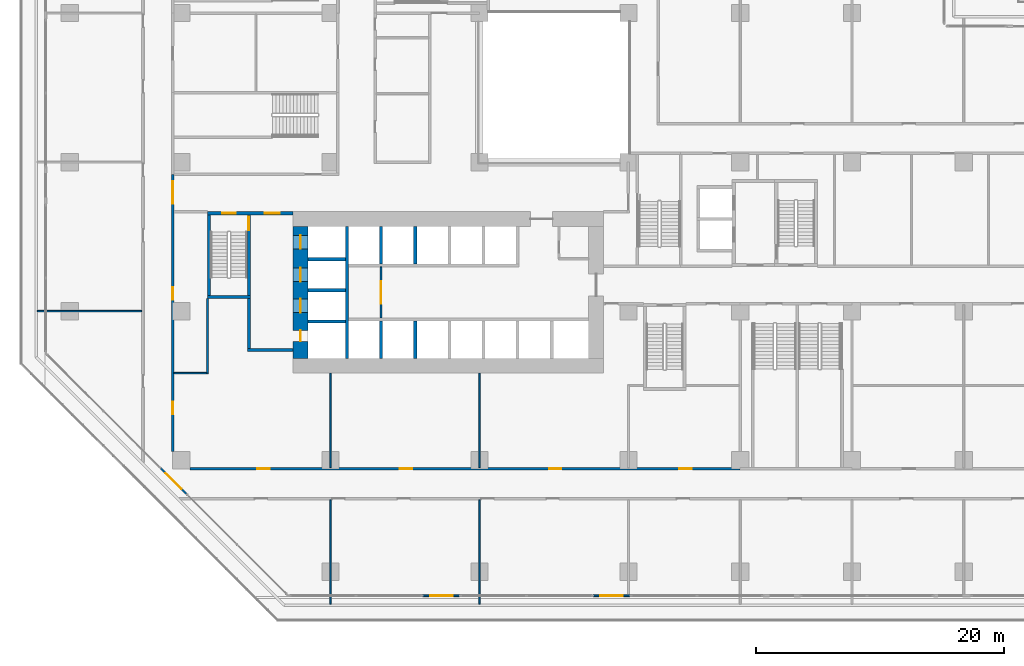
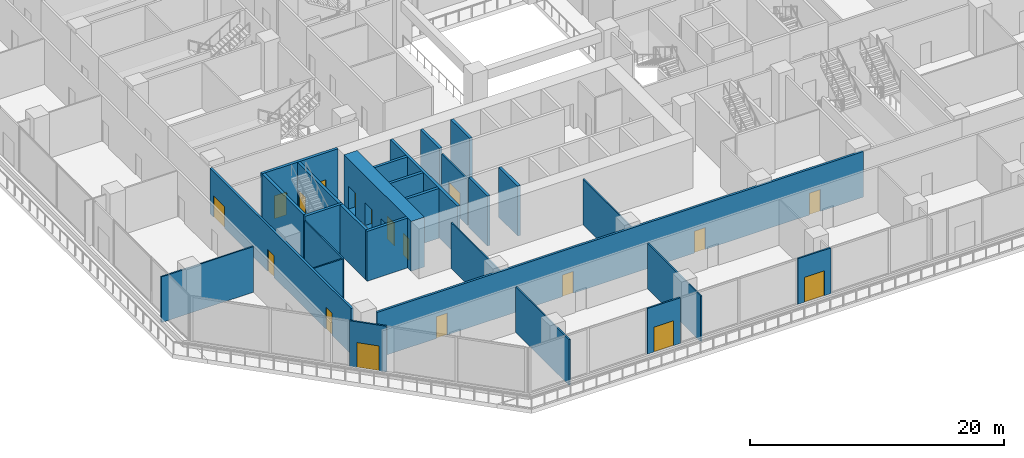
# One storey, part 14 of 31: 28 walls, 18 doors, 18 openings.
"""IFC4 building model written with IfcOpenShell, lengths in metres."""

from ifc_helpers import new_model, si_unit, direction, frame, frame_2d, origin, place, context, subcontext, project, spatial, rectangle, extrude, material, layer, layer_set, type_object, element, fill, save


model = new_model("IFC4")

# Units and contexts
model_context = context("Model", 3, precision=1e-05, world=origin(), true_north=direction((0.0, 1.0)))
body_context = subcontext(model_context, "Body", "Model", "MODEL_VIEW")
ifc_project = project(units=[si_unit("LENGTHUNIT", "METRE"), si_unit("AREAUNIT", "SQUARE_METRE"), si_unit("VOLUMEUNIT", "CUBIC_METRE"), si_unit("PLANEANGLEUNIT", "RADIAN"), si_unit("MASSUNIT", "GRAM", prefix="KILO")], contexts=[model_context])

# Site, building, storey
site_placement = place(None, origin())
site = spatial("IfcSite", under=ifc_project, at=site_placement, CompositionType="ELEMENT")
building_placement = place(site_placement, origin())
building = spatial("IfcBuilding", under=site, at=building_placement, Name="Chenar Terraces", CompositionType="ELEMENT")
storey_placement = place(building_placement, frame((0.0, 0.0, 12.0)))
storey = spatial("IfcBuildingStorey", under=building, at=storey_placement, Name="L02", CompositionType="ELEMENT", Elevation=12.0)

# Walls
ifc_material_1 = material(Name="Gypsum board on steel studs with mineral wool", Category="steel")
ifc_layer_1 = layer(ifc_material_1, 0.125)
ifc_layer_set_1 = layer_set([ifc_layer_1], Name="Gypsum board on steel studs with mineral wool")
wall_type_1 = type_object("IfcWallType", Name="Acoustic partition 125", PredefinedType="PARTITIONING", material=ifc_layer_set_1)
wall_1_placement = place(storey_placement, frame((-11.60009765625, 12.0, 0.0), z_axis=(0.0, 0.0, 1.0), x_axis=(1.0, 0.0, 0.0)))
element("IfcWall", 1, at=wall_1_placement, inside=storey, type_object=wall_type_1, Name="Partition L02-001", PredefinedType="PARTITIONING", context=body_context, shape_type="SweptSolid", body=[
    extrude(rectangle(XDim=8.400146484375, YDim=0.125, at=frame_2d((4.2001953125, 0.0))), origin(), (0.0, 0.0, 1.0), 4.39990234375),
])
wall_2_placement = place(storey_placement, frame((-0.60009765625, 7.0, 0.0), z_axis=(0.0, 0.0, 1.0), x_axis=(1.0, 0.0, 0.0)))
element("IfcWall", 2, at=wall_2_placement, inside=storey, type_object=wall_type_1, Name="Partition L02-020", PredefinedType="PARTITIONING", context=body_context, shape_type="SweptSolid", body=[
    extrude(rectangle(XDim=2.63818359375, YDim=0.125, at=frame_2d((1.319091796875, 0.0))), origin(), (0.0, 0.0, 1.0), 4.39990234375),
])
wall_3_placement = place(storey_placement, frame((2.10009765625, 6.93798828125, 0.0), z_axis=(0.0, 0.0, 1.0), x_axis=(0.0, 1.0, 0.0)))
element("IfcWall", 3, at=wall_3_placement, inside=storey, type_object=wall_type_1, Name="Partition L02-034", PredefinedType="PARTITIONING", context=body_context, shape_type="SweptSolid", body=[
    extrude(rectangle(XDim=6.06201171875, YDim=0.125, at=frame_2d((3.031005859375, 0.0))), origin(), (0.0, 0.0, 1.0), 4.39990234375),
])
wall_4_placement = place(storey_placement, frame((12.0, -11.60009765625, 0.0), z_axis=(0.0, 0.0, 1.0), x_axis=(0.0, 1.0, 0.0)))
element("IfcWall", 4, at=wall_4_placement, inside=storey, type_object=wall_type_1, Name="Partition L02-040", PredefinedType="PARTITIONING", context=body_context, shape_type="SweptSolid", body=[
    extrude(rectangle(XDim=8.400146484375, YDim=0.125, at=frame_2d((4.2001953125, 0.0))), origin(), (0.0, 0.0, 1.0), 4.39990234375),
])
wall_5_placement = place(storey_placement, frame((12.0, -0.60009765625, 0.0), z_axis=(0.0, 0.0, 1.0), x_axis=(0.0, 1.0, 0.0)))
element("IfcWall", 5, at=wall_5_placement, inside=storey, type_object=wall_type_1, Name="Partition L02-041", PredefinedType="PARTITIONING", context=body_context, shape_type="SweptSolid", body=[
    extrude(rectangle(XDim=7.60009765625, YDim=0.125, at=frame_2d((3.800048828125, 0.0))), origin(), (0.0, 0.0, 1.0), 4.39990234375),
])
wall_6_placement = place(storey_placement, frame((24.0, -11.60009765625, 0.0), z_axis=(0.0, 0.0, 1.0), x_axis=(0.0, 1.0, 0.0)))
element("IfcWall", 6, at=wall_6_placement, inside=storey, type_object=wall_type_1, Name="Partition L02-067", PredefinedType="PARTITIONING", context=body_context, shape_type="SweptSolid", body=[
    extrude(rectangle(XDim=8.400146484375, YDim=0.125, at=frame_2d((4.2001953125, 0.0))), origin(), (0.0, 0.0, 1.0), 4.39990234375),
])
wall_7_placement = place(storey_placement, frame((24.0, -0.60009765625, 0.0), z_axis=(0.0, 0.0, 1.0), x_axis=(0.0, 1.0, 0.0)))
element("IfcWall", 7, at=wall_7_placement, inside=storey, type_object=wall_type_1, Name="Partition L02-068", PredefinedType="PARTITIONING", context=body_context, shape_type="SweptSolid", body=[
    extrude(rectangle(XDim=7.60009765625, YDim=0.125, at=frame_2d((3.800048828125, 0.0))), origin(), (0.0, 0.0, 1.0), 4.39990234375),
])

# Wall, opening, door
ifc_material_2 = material(Name="Gypsum board on steel studs", Category="steel")
ifc_layer_2 = layer(ifc_material_2, 0.14990234375)
ifc_layer_set_2 = layer_set([ifc_layer_2], Name="Gypsum board on steel studs")
wall_type_2 = type_object("IfcWallType", Name="Core partition 150 gypsum board", PredefinedType="PARTITIONING", material=ifc_layer_set_2)
wall_8_placement = place(storey_placement, frame((16.074951171875, 11.449951171875, 0.0), z_axis=(0.0, 0.0, 1.0), x_axis=(0.0, 1.0, 0.0)))
wall_8 = element("IfcWall", 8, at=wall_8_placement, inside=storey, type_object=wall_type_2, Name="Core partition CP1 lift lobby smoke stop", PredefinedType="PARTITIONING", context=body_context, shape_type="SweptSolid", body=[
    extrude(rectangle(XDim=4.10009765625, YDim=0.14990234375, at=frame_2d((2.050048828125, 0.0))), origin(), (0.0, 0.0, 1.0), 4.39990234375),
])
opening_1_placement = place(wall_8_placement, frame((1.14990234375, 0.0, 0.0)))
opening_1 = element("IfcOpeningElement", 9, at=opening_1_placement, cuts=wall_8, Name="Opening DL02-C12", PredefinedType="OPENING", context=body_context, shape_type="SweptSolid", body=[
    extrude(rectangle(XDim=1.800048828125, YDim=2.39990234375, at=frame_2d((0.89990234375, 1.199951171875))), frame((0.0, 0.0849609375, 0.0), z_axis=(0.0, -1.0, 0.0), x_axis=(1.0, 0.0, 0.0)), (0.0, 0.0, 1.0), 0.169921875),
])
ifc_material_3 = material(Name="Steel-framed fire-resisting door leaf", Category="steel")
door_type_1 = type_object("IfcDoorType", Name="Core entrance double fire door FD60 1800 x 2400", OperationType="DOUBLE_DOOR_SINGLE_SWING", PredefinedType="DOOR", material=ifc_material_3)
door_1_placement = place(opening_1_placement, origin())
door_1 = element("IfcDoor", 10, at=door_1_placement, inside=storey, type_object=door_type_1, Name="Core door DL02-C12", OperationType="DOUBLE_DOOR_SINGLE_SWING", OverallHeight=2.39990234375, OverallWidth=1.800048828125, PredefinedType="DOOR", context=body_context, shape_type="SweptSolid", body=[
    extrude(rectangle(XDim=1.800048828125, YDim=2.39990234375, at=frame_2d((0.89990234375, 1.199951171875))), frame((0.0, 0.02490234375, 0.0), z_axis=(0.0, -1.0, 0.0), x_axis=(1.0, 0.0, 0.0)), (0.0, 0.0, 1.0), 0.050048828125),
])
fill(opening_1, door_1)

# Wall, openings, doors
ifc_material_4 = material(Name="Concrete C70/85", Category="concrete")
ifc_layer_3 = layer(ifc_material_4, 1.199951171875)
ifc_layer_set_3 = layer_set([ifc_layer_3], Name="Concrete C70/85")
wall_type_3 = type_object("IfcWallType", Name="Core wall 1200 Concrete C70/85", PredefinedType="SHEAR", material=ifc_layer_set_3)
wall_9_placement = place(storey_placement, frame((9.60009765625, 8.199951171875, 0.0), z_axis=(0.0, 0.0, 1.0), x_axis=(0.0, 1.0, 0.0)))
wall_9 = element("IfcWall", 11, at=wall_9_placement, inside=storey, type_object=wall_type_3, Name="Core wall W L02", PredefinedType="SHEAR", context=body_context, shape_type="SweptSolid", body=[
    extrude(rectangle(XDim=10.60009765625, YDim=1.199951171875, at=frame_2d((5.300048828125, 0.0))), origin(), (0.0, 0.0, 1.0), 4.800048828125),
])
opening_2_placement = place(wall_9_placement, frame((3.675048828125, 0.0, 0.0)))
opening_2 = element("IfcOpeningElement", 12, at=opening_2_placement, cuts=wall_9, Name="Opening DL02-LD1", PredefinedType="OPENING", context=body_context, shape_type="SweptSolid", body=[
    extrude(rectangle(XDim=1.10009765625, YDim=2.199951171875, at=frame_2d((0.550048828125, 1.10009765625))), frame((0.0, 0.60986328125, 0.0), z_axis=(0.0, -1.0, 0.0), x_axis=(1.0, 0.0, 0.0)), (0.0, 0.0, 1.0), 1.219970703125),
])
opening_3_placement = place(wall_9_placement, frame((6.175048828125, 0.0, 0.0)))
opening_3 = element("IfcOpeningElement", 13, at=opening_3_placement, cuts=wall_9, Name="Opening DL02-LD2", PredefinedType="OPENING", context=body_context, shape_type="SweptSolid", body=[
    extrude(rectangle(XDim=1.10009765625, YDim=2.199951171875, at=frame_2d((0.550048828125, 1.10009765625))), frame((0.0, 0.60986328125, 0.0), z_axis=(0.0, -1.0, 0.0), x_axis=(1.0, 0.0, 0.0)), (0.0, 0.0, 1.0), 1.219970703125),
])
opening_4_placement = place(wall_9_placement, frame((8.800048828125, 0.0, 0.0)))
opening_4 = element("IfcOpeningElement", 14, at=opening_4_placement, cuts=wall_9, Name="Opening DL02-LD3", PredefinedType="OPENING", context=body_context, shape_type="SweptSolid", body=[
    extrude(rectangle(XDim=1.10009765625, YDim=2.199951171875, at=frame_2d((0.550048828125, 1.10009765625))), frame((0.0, 0.60986328125, 0.0), z_axis=(0.0, -1.0, 0.0), x_axis=(1.0, 0.0, 0.0)), (0.0, 0.0, 1.0), 1.219970703125),
])
opening_5_placement = place(wall_9_placement, frame((1.35009765625, 0.0, 0.0)))
opening_5 = element("IfcOpeningElement", 15, at=opening_5_placement, cuts=wall_9, Name="Opening DL02-C4", PredefinedType="OPENING", context=body_context, shape_type="SweptSolid", body=[
    extrude(rectangle(XDim=0.89990234375, YDim=2.10009765625, at=frame_2d((0.449951171875, 1.050048828125))), frame((0.0, 0.60986328125, 0.0), z_axis=(0.0, -1.0, 0.0), x_axis=(1.0, 0.0, 0.0)), (0.0, 0.0, 1.0), 1.219970703125),
])
ifc_material_5 = material(Name="Stainless steel", Category="steel")
door_type_2 = type_object("IfcDoorType", Name="Lift landing door 1100 x 2200 sliding", OperationType="DOUBLE_DOOR_SLIDING", PredefinedType="DOOR", material=ifc_material_5)
door_2_placement = place(opening_2_placement, origin())
door_2 = element("IfcDoor", 16, at=door_2_placement, inside=storey, type_object=door_type_2, Name="Landing door S1", OperationType="DOUBLE_DOOR_SLIDING", OverallHeight=2.199951171875, OverallWidth=1.10009765625, PredefinedType="DOOR", context=body_context, shape_type="SweptSolid", body=[
    extrude(rectangle(XDim=1.10009765625, YDim=2.199951171875, at=frame_2d((0.550048828125, 1.10009765625))), frame((0.0, 0.02490234375, 0.0), z_axis=(0.0, -1.0, 0.0), x_axis=(1.0, 0.0, 0.0)), (0.0, 0.0, 1.0), 0.050048828125),
])
fill(opening_2, door_2)
door_3_placement = place(opening_3_placement, origin())
door_3 = element("IfcDoor", 17, at=door_3_placement, inside=storey, type_object=door_type_2, Name="Landing door F1", OperationType="DOUBLE_DOOR_SLIDING", OverallHeight=2.199951171875, OverallWidth=1.10009765625, PredefinedType="DOOR", context=body_context, shape_type="SweptSolid", body=[
    extrude(rectangle(XDim=1.10009765625, YDim=2.199951171875, at=frame_2d((0.550048828125, 1.10009765625))), frame((0.0, 0.02490234375, 0.0), z_axis=(0.0, -1.0, 0.0), x_axis=(1.0, 0.0, 0.0)), (0.0, 0.0, 1.0), 0.050048828125),
])
fill(opening_3, door_3)
door_4_placement = place(opening_4_placement, origin())
door_4 = element("IfcDoor", 18, at=door_4_placement, inside=storey, type_object=door_type_2, Name="Landing door F2", OperationType="DOUBLE_DOOR_SLIDING", OverallHeight=2.199951171875, OverallWidth=1.10009765625, PredefinedType="DOOR", context=body_context, shape_type="SweptSolid", body=[
    extrude(rectangle(XDim=1.10009765625, YDim=2.199951171875, at=frame_2d((0.550048828125, 1.10009765625))), frame((0.0, 0.02490234375, 0.0), z_axis=(0.0, -1.0, 0.0), x_axis=(1.0, 0.0, 0.0)), (0.0, 0.0, 1.0), 0.050048828125),
])
fill(opening_4, door_4)
ifc_material_6 = material(Name="Steel-framed fire-resisting door leaf", Category="steel")
door_type_3 = type_object("IfcDoorType", Name="Riser fire door FD60 900 x 2100", OperationType="SINGLE_SWING_LEFT", PredefinedType="DOOR", material=ifc_material_6)
door_5_placement = place(opening_5_placement, frame((0.89990234375, 0.0, 0.0), z_axis=(0.0, 0.0, 1.0), x_axis=(-1.0, 0.0, 0.0)))
door_5 = element("IfcDoor", 19, at=door_5_placement, inside=storey, type_object=door_type_3, Name="Riser door DL02-C4", OperationType="SINGLE_SWING_RIGHT", OverallHeight=2.10009765625, OverallWidth=0.89990234375, PredefinedType="DOOR", context=body_context, shape_type="SweptSolid", body=[
    extrude(rectangle(XDim=0.89990234375, YDim=2.10009765625, at=frame_2d((0.449951171875, 1.050048828125))), frame((0.0, 0.02490234375, 0.0), z_axis=(0.0, -1.0, 0.0), x_axis=(1.0, 0.0, 0.0)), (0.0, 0.0, 1.0), 0.050048828125),
])
fill(opening_5, door_5)

# Walls
ifc_material_7 = material(Name="Concrete C70/85", Category="concrete")
ifc_layer_4 = layer(ifc_material_7, 0.25)
ifc_layer_set_4 = layer_set([ifc_layer_4], Name="Concrete C70/85")
wall_type_4 = type_object("IfcWallType", Name="Core wall 250 Concrete C70/85", PredefinedType="SHEAR", material=ifc_layer_set_4)
wall_10_placement = place(storey_placement, frame((13.324951171875, 8.199951171875, 0.0), z_axis=(0.0, 0.0, 1.0), x_axis=(0.0, 1.0, 0.0)))
element("IfcWall", 20, at=wall_10_placement, inside=storey, type_object=wall_type_4, Name="Core wall WI L02", PredefinedType="SHEAR", context=body_context, shape_type="SweptSolid", body=[
    extrude(rectangle(XDim=10.60009765625, YDim=0.25, at=frame_2d((5.300048828125, 0.0))), origin(), (0.0, 0.0, 1.0), 4.800048828125),
])
for number, where, z_axis, x_axis, name in (
    (21, (10.199951171875, 11.175048828125, 0.0), (0.0, 0.0, 1.0), (1.0, 0.0, 0.0), "Core wall HW0 L02"),
    (22, (10.199951171875, 13.675048828125, 0.0), (0.0, 0.0, 1.0), (1.0, 0.0, 0.0), "Core wall HW1 L02"),
    (23, (10.199951171875, 16.175048828125, 0.0), (0.0, 0.0, 1.0), (1.0, 0.0, 0.0), "Core wall HW2 L02"),
    (24, (16.074951171875, 8.199951171875, 0.0), (0.0, 0.0, 1.0), (0.0, 1.0, 0.0), "Core wall SS0 L02"),
    (25, (18.824951171875, 8.199951171875, 0.0), (0.0, 0.0, 1.0), (0.0, 1.0, 0.0), "Core wall SS1 L02"),
    (26, (16.074951171875, 15.800048828125, 0.0), (0.0, 0.0, 1.0), (0.0, 1.0, 0.0), "Core wall NS0 L02"),
    (27, (18.824951171875, 15.800048828125, 0.0), (0.0, 0.0, 1.0), (0.0, 1.0, 0.0), "Core wall NS1 L02"),
):
    element("IfcWall", number, at=place(storey_placement, frame(where, z_axis=z_axis, x_axis=x_axis)), inside=storey, type_object=wall_type_4, Name=name, PredefinedType="SHEAR", context=body_context, shape_type="SweptSolid", body=[
        extrude(rectangle(XDim=3.0, YDim=0.25, at=frame_2d((1.5, 0.0))), origin(), (0.0, 0.0, 1.0), 4.800048828125),
    ])

# Wall, openings, doors
wall_11_placement = place(storey_placement, frame((2.10009765625, 19.875, 0.0), z_axis=(0.0, 0.0, 1.0), x_axis=(1.0, 0.0, 0.0)))
wall_11 = element("IfcWall", 28, at=wall_11_placement, inside=storey, type_object=wall_type_4, Name="Core wall A_N L02", PredefinedType="SHEAR", context=body_context, shape_type="SweptSolid", body=[
    extrude(rectangle(XDim=6.89990234375, YDim=0.25, at=frame_2d((3.449951171875, 0.0))), origin(), (0.0, 0.0, 1.0), 4.800048828125),
])
opening_6_placement = place(wall_11_placement, frame((1.175048828125, 0.0, 0.0)))
opening_6 = element("IfcOpeningElement", 29, at=opening_6_placement, cuts=wall_11, Name="Opening DL02-C5", PredefinedType="OPENING", context=body_context, shape_type="SweptSolid", body=[
    extrude(rectangle(XDim=1.10009765625, YDim=2.199951171875, at=frame_2d((0.550048828125, 1.10009765625))), frame((0.0, 0.135009765625, 0.0), z_axis=(0.0, -1.0, 0.0), x_axis=(1.0, 0.0, 0.0)), (0.0, 0.0, 1.0), 0.27001953125),
])
opening_7_placement = place(wall_11_placement, frame((4.60009765625, 0.0, 0.0)))
opening_7 = element("IfcOpeningElement", 30, at=opening_7_placement, cuts=wall_11, Name="Opening DL02-C6", PredefinedType="OPENING", context=body_context, shape_type="SweptSolid", body=[
    extrude(rectangle(XDim=1.199951171875, YDim=2.199951171875, at=frame_2d((0.60009765625, 1.10009765625))), frame((0.0, 0.135009765625, 0.0), z_axis=(0.0, -1.0, 0.0), x_axis=(1.0, 0.0, 0.0)), (0.0, 0.0, 1.0), 0.27001953125),
])
ifc_material_8 = material(Name="Steel-framed fire-resisting door leaf", Category="steel")
door_type_4 = type_object("IfcDoorType", Name="Lobby fire door FD60 1200 x 2200", OperationType="SINGLE_SWING_LEFT", PredefinedType="DOOR", material=ifc_material_8)
door_6_placement = place(opening_7_placement, frame((1.199951171875, 0.0, 0.0), z_axis=(0.0, 0.0, 1.0), x_axis=(-1.0, 0.0, 0.0)))
door_6 = element("IfcDoor", 31, at=door_6_placement, inside=storey, type_object=door_type_4, Name="Core door DL02-C6", OperationType="SINGLE_SWING_LEFT", OverallHeight=2.199951171875, OverallWidth=1.199951171875, PredefinedType="DOOR", context=body_context, shape_type="SweptSolid", body=[
    extrude(rectangle(XDim=1.199951171875, YDim=2.199951171875, at=frame_2d((0.60009765625, 1.10009765625))), frame((0.0, 0.02490234375, 0.0), z_axis=(0.0, -1.0, 0.0), x_axis=(1.0, 0.0, 0.0)), (0.0, 0.0, 1.0), 0.050048828125),
])
fill(opening_7, door_6)
ifc_material_9 = material(Name="Steel-framed fire-resisting door leaf", Category="steel")
door_type_5 = type_object("IfcDoorType", Name="Stair fire door FD60 1100 x 2200", OperationType="SINGLE_SWING_LEFT", PredefinedType="DOOR", material=ifc_material_9)
door_7_placement = place(opening_6_placement, origin())
door_7 = element("IfcDoor", 32, at=door_7_placement, inside=storey, type_object=door_type_5, Name="Stair door DL02-C5", OperationType="SINGLE_SWING_LEFT", OverallHeight=2.199951171875, OverallWidth=1.10009765625, PredefinedType="DOOR", context=body_context, shape_type="SweptSolid", body=[
    extrude(rectangle(XDim=1.10009765625, YDim=2.199951171875, at=frame_2d((0.550048828125, 1.10009765625))), frame((0.0, 0.02490234375, 0.0), z_axis=(0.0, -1.0, 0.0), x_axis=(1.0, 0.0, 0.0)), (0.0, 0.0, 1.0), 0.050048828125),
])
fill(opening_6, door_7)

# Walls
wall_12_placement = place(storey_placement, frame((2.10009765625, 13.125, 0.0), z_axis=(0.0, 0.0, 1.0), x_axis=(1.0, 0.0, 0.0)))
element("IfcWall", 33, at=wall_12_placement, inside=storey, type_object=wall_type_4, Name="Core wall ST1_S L02", PredefinedType="SHEAR", context=body_context, shape_type="SweptSolid", body=[
    extrude(rectangle(XDim=3.449951171875, YDim=0.25, at=frame_2d((1.72509765625, 0.0))), origin(), (0.0, 0.0, 1.0), 4.800048828125),
])
wall_13_placement = place(storey_placement, frame((2.22509765625, 13.25, 0.0), z_axis=(0.0, 0.0, 1.0), x_axis=(0.0, 1.0, 0.0)))
element("IfcWall", 34, at=wall_13_placement, inside=storey, type_object=wall_type_4, Name="Core wall ST1_W L02", PredefinedType="SHEAR", context=body_context, shape_type="SweptSolid", body=[
    extrude(rectangle(XDim=6.5, YDim=0.25, at=frame_2d((3.25, 0.0))), origin(), (0.0, 0.0, 1.0), 4.800048828125),
])

# Wall, opening, door
wall_14_placement = place(storey_placement, frame((5.425048828125, 13.25, 0.0), z_axis=(0.0, 0.0, 1.0), x_axis=(0.0, 1.0, 0.0)))
wall_14 = element("IfcWall", 35, at=wall_14_placement, inside=storey, type_object=wall_type_4, Name="Core wall ST1_E L02", PredefinedType="SHEAR", context=body_context, shape_type="SweptSolid", body=[
    extrude(rectangle(XDim=6.5, YDim=0.25, at=frame_2d((3.25, 0.0))), origin(), (0.0, 0.0, 1.0), 4.800048828125),
])
opening_8_placement = place(wall_14_placement, frame((5.25, 0.0, 0.0)))
opening_8 = element("IfcOpeningElement", 36, at=opening_8_placement, cuts=wall_14, Name="Opening DL02-C3", PredefinedType="OPENING", context=body_context, shape_type="SweptSolid", body=[
    extrude(rectangle(XDim=1.10009765625, YDim=2.199951171875, at=frame_2d((0.550048828125, 1.10009765625))), frame((0.0, 0.135009765625, 0.0), z_axis=(0.0, -1.0, 0.0), x_axis=(1.0, 0.0, 0.0)), (0.0, 0.0, 1.0), 0.27001953125),
])
door_8_placement = place(opening_8_placement, origin())
door_8 = element("IfcDoor", 37, at=door_8_placement, inside=storey, type_object=door_type_5, Name="Stair door DL02-C3", OperationType="SINGLE_SWING_RIGHT", OverallHeight=2.199951171875, OverallWidth=1.10009765625, PredefinedType="DOOR", context=body_context, shape_type="SweptSolid", body=[
    extrude(rectangle(XDim=1.10009765625, YDim=2.199951171875, at=frame_2d((0.550048828125, 1.10009765625))), frame((0.0, 0.02490234375, 0.0), z_axis=(0.0, -1.0, 0.0), x_axis=(1.0, 0.0, 0.0)), (0.0, 0.0, 1.0), 0.050048828125),
])
fill(opening_8, door_8)

# Walls
wall_15_placement = place(storey_placement, frame((5.300048828125, 8.875, 0.0), z_axis=(0.0, 0.0, 1.0), x_axis=(1.0, 0.0, 0.0)))
element("IfcWall", 38, at=wall_15_placement, inside=storey, type_object=wall_type_4, Name="Core wall FFL_S L02", PredefinedType="SHEAR", context=body_context, shape_type="SweptSolid", body=[
    extrude(rectangle(XDim=3.699951171875, YDim=0.25, at=frame_2d((1.85009765625, 0.0))), origin(), (0.0, 0.0, 1.0), 4.800048828125),
])
wall_16_placement = place(storey_placement, frame((5.425048828125, 9.0, 0.0), z_axis=(0.0, 0.0, 1.0), x_axis=(0.0, 1.0, 0.0)))
element("IfcWall", 39, at=wall_16_placement, inside=storey, type_object=wall_type_4, Name="Core wall FFL_W L02", PredefinedType="SHEAR", context=body_context, shape_type="SweptSolid", body=[
    extrude(rectangle(XDim=4.0, YDim=0.25, at=frame_2d((2.0, 0.0))), origin(), (0.0, 0.0, 1.0), 4.800048828125),
])

# Wall, openings, doors
ifc_material_10 = material(Name="Gypsum board on steel studs with fire boards", Category="steel")
ifc_layer_5 = layer(ifc_material_10, 0.199951171875)
ifc_layer_set_5 = layer_set([ifc_layer_5], Name="Gypsum board on steel studs with fire boards")
wall_type_5 = type_object("IfcWallType", Name="Corridor wall 200", PredefinedType="PARTITIONING", material=ifc_layer_set_5)
wall_17_placement = place(storey_placement, frame((-0.699951171875, 0.699951171875, 0.0), z_axis=(0.0, 0.0, 1.0), x_axis=(0.0, 1.0, 0.0)))
wall_17 = element("IfcWall", 40, at=wall_17_placement, inside=storey, type_object=wall_type_5, Name="Partition L02-011", PredefinedType="PARTITIONING", context=body_context, shape_type="SweptSolid", body=[
    extrude(rectangle(XDim=22.300048828125, YDim=0.199951171875, at=frame_2d((11.14990234375, 0.0))), origin(), (0.0, 0.0, 1.0), 4.39990234375),
])
opening_9_placement = place(wall_17_placement, frame((19.949951171875, 0.0, 0.0)))
opening_9 = element("IfcOpeningElement", 41, at=opening_9_placement, cuts=wall_17, Name="Opening DL02-41", PredefinedType="OPENING", context=body_context, shape_type="SweptSolid", body=[
    extrude(rectangle(XDim=1.800048828125, YDim=2.10009765625, at=frame_2d((0.89990234375, 1.050048828125))), frame((0.0, 0.10986328125, 0.0), z_axis=(0.0, -1.0, 0.0), x_axis=(1.0, 0.0, 0.0)), (0.0, 0.0, 1.0), 0.219970703125),
])
opening_10_placement = place(wall_17_placement, frame((12.199951171875, 0.0, 0.0)))
opening_10 = element("IfcOpeningElement", 42, at=opening_10_placement, cuts=wall_17, Name="Opening DL02-42", PredefinedType="OPENING", context=body_context, shape_type="SweptSolid", body=[
    extrude(rectangle(XDim=1.0, YDim=2.10009765625, at=frame_2d((0.5, 1.050048828125))), frame((0.0, 0.10986328125, 0.0), z_axis=(0.0, -1.0, 0.0), x_axis=(1.0, 0.0, 0.0)), (0.0, 0.0, 1.0), 0.219970703125),
])
opening_11_placement = place(wall_17_placement, frame((3.0, 0.0, 0.0)))
opening_11 = element("IfcOpeningElement", 43, at=opening_11_placement, cuts=wall_17, Name="Opening DL02-44", PredefinedType="OPENING", context=body_context, shape_type="SweptSolid", body=[
    extrude(rectangle(XDim=1.0, YDim=2.10009765625, at=frame_2d((0.5, 1.050048828125))), frame((0.0, 0.10986328125, 0.0), z_axis=(0.0, -1.0, 0.0), x_axis=(1.0, 0.0, 0.0)), (0.0, 0.0, 1.0), 0.219970703125),
])
ifc_material_11 = material(Name="Steel-framed fire-resisting door leaf", Category="steel")
door_type_6 = type_object("IfcDoorType", Name="Fire door FD60 1000 x 2100", OperationType="SINGLE_SWING_LEFT", PredefinedType="DOOR", material=ifc_material_11)
door_9_placement = place(opening_10_placement, frame((1.0, 0.0, 0.0), z_axis=(0.0, 0.0, 1.0), x_axis=(-1.0, 0.0, 0.0)))
door_9 = element("IfcDoor", 44, at=door_9_placement, inside=storey, type_object=door_type_6, Name="Door DL02-42", OperationType="SINGLE_SWING_RIGHT", OverallHeight=2.10009765625, OverallWidth=1.0, PredefinedType="DOOR", context=body_context, shape_type="SweptSolid", body=[
    extrude(rectangle(XDim=1.0, YDim=2.10009765625, at=frame_2d((0.5, 1.050048828125))), frame((0.0, 0.02490234375, 0.0), z_axis=(0.0, -1.0, 0.0), x_axis=(1.0, 0.0, 0.0)), (0.0, 0.0, 1.0), 0.050048828125),
])
fill(opening_10, door_9)
door_10_placement = place(opening_11_placement, frame((1.0, 0.0, 0.0), z_axis=(0.0, 0.0, 1.0), x_axis=(-1.0, 0.0, 0.0)))
door_10 = element("IfcDoor", 45, at=door_10_placement, inside=storey, type_object=door_type_6, Name="Door DL02-44", OperationType="SINGLE_SWING_LEFT", OverallHeight=2.10009765625, OverallWidth=1.0, PredefinedType="DOOR", context=body_context, shape_type="SweptSolid", body=[
    extrude(rectangle(XDim=1.0, YDim=2.10009765625, at=frame_2d((0.5, 1.050048828125))), frame((0.0, 0.02490234375, 0.0), z_axis=(0.0, -1.0, 0.0), x_axis=(1.0, 0.0, 0.0)), (0.0, 0.0, 1.0), 0.050048828125),
])
fill(opening_11, door_10)
ifc_material_12 = material(Name="Steel-framed fire-resisting door leaf", Category="steel")
door_type_7 = type_object("IfcDoorType", Name="Fire double door FD60 1800 x 2100", OperationType="DOUBLE_DOOR_SINGLE_SWING", PredefinedType="DOOR", material=ifc_material_12)
door_11_placement = place(opening_9_placement, origin())
door_11 = element("IfcDoor", 46, at=door_11_placement, inside=storey, type_object=door_type_7, Name="Door DL02-41", OperationType="DOUBLE_DOOR_SINGLE_SWING", OverallHeight=2.10009765625, OverallWidth=1.800048828125, PredefinedType="DOOR", context=body_context, shape_type="SweptSolid", body=[
    extrude(rectangle(XDim=1.800048828125, YDim=2.10009765625, at=frame_2d((0.89990234375, 1.050048828125))), frame((0.0, 0.02490234375, 0.0), z_axis=(0.0, -1.0, 0.0), x_axis=(1.0, 0.0, 0.0)), (0.0, 0.0, 1.0), 0.050048828125),
])
fill(opening_9, door_11)

wall_18_placement = place(storey_placement, frame((0.699951171875, -0.699951171875, 0.0), z_axis=(0.0, 0.0, 1.0), x_axis=(1.0, 0.0, 0.0)))
wall_18 = element("IfcWall", 47, at=wall_18_placement, inside=storey, type_object=wall_type_5, Name="Partition L02-033", PredefinedType="PARTITIONING", context=body_context, shape_type="SweptSolid", body=[
    extrude(rectangle(XDim=44.300048828125, YDim=0.199951171875, at=frame_2d((22.14990234375, 0.0))), origin(), (0.0, 0.0, 1.0), 4.39990234375),
])
opening_12_placement = place(wall_18_placement, frame((39.39990234375, 0.0, 0.0)))
opening_12 = element("IfcOpeningElement", 48, at=opening_12_placement, cuts=wall_18, Name="Opening DL02-9", PredefinedType="OPENING", context=body_context, shape_type="SweptSolid", body=[
    extrude(rectangle(XDim=1.0, YDim=2.10009765625, at=frame_2d((0.5, 1.050048828125))), frame((0.0, 0.10986328125, 0.0), z_axis=(0.0, -1.0, 0.0), x_axis=(1.0, 0.0, 0.0)), (0.0, 0.0, 1.0), 0.219970703125),
])
opening_13_placement = place(wall_18_placement, frame((5.39990234375, 0.0, 0.0)))
opening_13 = element("IfcOpeningElement", 49, at=opening_13_placement, cuts=wall_18, Name="Opening DL02-43", PredefinedType="OPENING", context=body_context, shape_type="SweptSolid", body=[
    extrude(rectangle(XDim=1.0, YDim=2.10009765625, at=frame_2d((0.5, 1.050048828125))), frame((0.0, 0.10986328125, 0.0), z_axis=(0.0, -1.0, 0.0), x_axis=(1.0, 0.0, 0.0)), (0.0, 0.0, 1.0), 0.219970703125),
])
opening_14_placement = place(wall_18_placement, frame((16.89990234375, 0.0, 0.0)))
opening_14 = element("IfcOpeningElement", 50, at=opening_14_placement, cuts=wall_18, Name="Opening DL02-45", PredefinedType="OPENING", context=body_context, shape_type="SweptSolid", body=[
    extrude(rectangle(XDim=1.0, YDim=2.10009765625, at=frame_2d((0.5, 1.050048828125))), frame((0.0, 0.10986328125, 0.0), z_axis=(0.0, -1.0, 0.0), x_axis=(1.0, 0.0, 0.0)), (0.0, 0.0, 1.0), 0.219970703125),
])
opening_15_placement = place(wall_18_placement, frame((28.89990234375, 0.0, 0.0)))
opening_15 = element("IfcOpeningElement", 51, at=opening_15_placement, cuts=wall_18, Name="Opening DL02-46", PredefinedType="OPENING", context=body_context, shape_type="SweptSolid", body=[
    extrude(rectangle(XDim=1.0, YDim=2.10009765625, at=frame_2d((0.5, 1.050048828125))), frame((0.0, 0.10986328125, 0.0), z_axis=(0.0, -1.0, 0.0), x_axis=(1.0, 0.0, 0.0)), (0.0, 0.0, 1.0), 0.219970703125),
])
door_12_placement = place(opening_12_placement, origin())
door_12 = element("IfcDoor", 52, at=door_12_placement, inside=storey, type_object=door_type_6, Name="Door DL02-9", OperationType="SINGLE_SWING_RIGHT", OverallHeight=2.10009765625, OverallWidth=1.0, PredefinedType="DOOR", context=body_context, shape_type="SweptSolid", body=[
    extrude(rectangle(XDim=1.0, YDim=2.10009765625, at=frame_2d((0.5, 1.050048828125))), frame((0.0, 0.02490234375, 0.0), z_axis=(0.0, -1.0, 0.0), x_axis=(1.0, 0.0, 0.0)), (0.0, 0.0, 1.0), 0.050048828125),
])
fill(opening_12, door_12)
door_13_placement = place(opening_13_placement, origin())
door_13 = element("IfcDoor", 53, at=door_13_placement, inside=storey, type_object=door_type_6, Name="Door DL02-43", OperationType="SINGLE_SWING_RIGHT", OverallHeight=2.10009765625, OverallWidth=1.0, PredefinedType="DOOR", context=body_context, shape_type="SweptSolid", body=[
    extrude(rectangle(XDim=1.0, YDim=2.10009765625, at=frame_2d((0.5, 1.050048828125))), frame((0.0, 0.02490234375, 0.0), z_axis=(0.0, -1.0, 0.0), x_axis=(1.0, 0.0, 0.0)), (0.0, 0.0, 1.0), 0.050048828125),
])
fill(opening_13, door_13)
door_14_placement = place(opening_14_placement, origin())
door_14 = element("IfcDoor", 54, at=door_14_placement, inside=storey, type_object=door_type_6, Name="Door DL02-45", OperationType="SINGLE_SWING_LEFT", OverallHeight=2.10009765625, OverallWidth=1.0, PredefinedType="DOOR", context=body_context, shape_type="SweptSolid", body=[
    extrude(rectangle(XDim=1.0, YDim=2.10009765625, at=frame_2d((0.5, 1.050048828125))), frame((0.0, 0.02490234375, 0.0), z_axis=(0.0, -1.0, 0.0), x_axis=(1.0, 0.0, 0.0)), (0.0, 0.0, 1.0), 0.050048828125),
])
fill(opening_14, door_14)
door_15_placement = place(opening_15_placement, origin())
door_15 = element("IfcDoor", 55, at=door_15_placement, inside=storey, type_object=door_type_6, Name="Door DL02-46", OperationType="SINGLE_SWING_LEFT", OverallHeight=2.10009765625, OverallWidth=1.0, PredefinedType="DOOR", context=body_context, shape_type="SweptSolid", body=[
    extrude(rectangle(XDim=1.0, YDim=2.10009765625, at=frame_2d((0.5, 1.050048828125))), frame((0.0, 0.02490234375, 0.0), z_axis=(0.0, -1.0, 0.0), x_axis=(1.0, 0.0, 0.0)), (0.0, 0.0, 1.0), 0.050048828125),
])
fill(opening_15, door_15)

# Wall, opening, door
ifc_material_13 = material(Name="Aluminium framed glazing", Category="aluminium")
ifc_layer_6 = layer(ifc_material_13, 0.14990234375)
ifc_layer_set_6 = layer_set([ifc_layer_6], Name="Aluminium framed glazing")
wall_type_6 = type_object("IfcWallType", Name="Podium glazed wall 150", PredefinedType="SOLIDWALL", material=ifc_layer_set_6)
wall_19_placement = place(storey_placement, frame((-1.69482421875, -0.634033203125, 0.0), z_axis=(0.0, 0.0, 1.0), x_axis=(0.707106781187, -0.707106781187, 0.0)))
wall_19 = element("IfcWall", 56, at=wall_19_placement, inside=storey, type_object=wall_type_6, Name="Podium glazed wall", PredefinedType="SOLIDWALL", context=body_context, shape_type="SweptSolid", body=[
    extrude(rectangle(XDim=3.0, YDim=0.14990234375, at=frame_2d((1.5, 0.0))), origin(), (0.0, 0.0, 1.0), 4.39990234375),
])
opening_16_placement = place(wall_19_placement, frame((0.60009765625, 0.0, 0.0)))
opening_16 = element("IfcOpeningElement", 57, at=opening_16_placement, cuts=wall_19, Name="Opening DL02-T1", PredefinedType="OPENING", context=body_context, shape_type="SweptSolid", body=[
    extrude(rectangle(XDim=1.800048828125, YDim=2.39990234375, at=frame_2d((0.89990234375, 1.199951171875))), frame((0.0, 0.0849609375, 0.0), z_axis=(0.0, -1.0, 0.0), x_axis=(1.0, 0.0, 0.0)), (0.0, 0.0, 1.0), 0.169921875),
])
ifc_material_14 = material(Name="Low emissivity double glazing, aluminium frame", Category="aluminium")
door_type_8 = type_object("IfcDoorType", Name="Terrace glazed double door 1800 x 2400", OperationType="DOUBLE_DOOR_SINGLE_SWING", PredefinedType="DOOR", material=ifc_material_14)
door_16_placement = place(opening_16_placement, frame((1.800048828125, 0.0, 0.0), z_axis=(0.0, 0.0, 1.0), x_axis=(-1.0, 0.0, 0.0)))
door_16 = element("IfcDoor", 58, at=door_16_placement, inside=storey, type_object=door_type_8, Name="Terrace glazed door", OperationType="DOUBLE_DOOR_SINGLE_SWING", OverallHeight=2.39990234375, OverallWidth=1.800048828125, PredefinedType="DOOR", context=body_context, shape_type="SweptSolid", body=[
    extrude(rectangle(XDim=1.800048828125, YDim=2.39990234375, at=frame_2d((0.89990234375, 1.199951171875))), frame((0.0, 0.02490234375, 0.0), z_axis=(0.0, -1.0, 0.0), x_axis=(1.0, 0.0, 0.0)), (0.0, 0.0, 1.0), 0.050048828125),
])
fill(opening_16, door_16)

wall_20_placement = place(storey_placement, frame((19.428955078125, -10.925048828125, 0.0), z_axis=(0.0, 0.0, 1.0), x_axis=(1.0, 0.0, 0.0)))
wall_20 = element("IfcWall", 59, at=wall_20_placement, inside=storey, type_object=wall_type_6, Name="Podium glazed wall", PredefinedType="SOLIDWALL", context=body_context, shape_type="SweptSolid", body=[
    extrude(rectangle(XDim=3.0, YDim=0.14990234375, at=frame_2d((1.5, 0.0))), origin(), (0.0, 0.0, 1.0), 4.39990234375),
])
opening_17_placement = place(wall_20_placement, frame((0.60009765625, 0.0, 0.0)))
opening_17 = element("IfcOpeningElement", 60, at=opening_17_placement, cuts=wall_20, Name="Opening DL02-T1", PredefinedType="OPENING", context=body_context, shape_type="SweptSolid", body=[
    extrude(rectangle(XDim=1.800048828125, YDim=2.39990234375, at=frame_2d((0.89990234375, 1.199951171875))), frame((0.0, 0.0849609375, 0.0), z_axis=(0.0, -1.0, 0.0), x_axis=(1.0, 0.0, 0.0)), (0.0, 0.0, 1.0), 0.169921875),
])
door_17_placement = place(opening_17_placement, frame((1.800048828125, 0.0, 0.0), z_axis=(0.0, 0.0, 1.0), x_axis=(-1.0, 0.0, 0.0)))
door_17 = element("IfcDoor", 61, at=door_17_placement, inside=storey, type_object=door_type_8, Name="Terrace glazed door", OperationType="DOUBLE_DOOR_SINGLE_SWING", OverallHeight=2.39990234375, OverallWidth=1.800048828125, PredefinedType="DOOR", context=body_context, shape_type="SweptSolid", body=[
    extrude(rectangle(XDim=1.800048828125, YDim=2.39990234375, at=frame_2d((0.89990234375, 1.199951171875))), frame((0.0, 0.02490234375, 0.0), z_axis=(0.0, -1.0, 0.0), x_axis=(1.0, 0.0, 0.0)), (0.0, 0.0, 1.0), 0.050048828125),
])
fill(opening_17, door_17)

wall_21_placement = place(storey_placement, frame((33.14306640625, -10.925048828125, 0.0), z_axis=(0.0, 0.0, 1.0), x_axis=(1.0, 0.0, 0.0)))
wall_21 = element("IfcWall", 62, at=wall_21_placement, inside=storey, type_object=wall_type_6, Name="Podium glazed wall", PredefinedType="SOLIDWALL", context=body_context, shape_type="SweptSolid", body=[
    extrude(rectangle(XDim=3.0, YDim=0.14990234375, at=frame_2d((1.5, 0.0))), origin(), (0.0, 0.0, 1.0), 4.39990234375),
])
opening_18_placement = place(wall_21_placement, frame((0.60009765625, 0.0, 0.0)))
opening_18 = element("IfcOpeningElement", 63, at=opening_18_placement, cuts=wall_21, Name="Opening DL02-T2", PredefinedType="OPENING", context=body_context, shape_type="SweptSolid", body=[
    extrude(rectangle(XDim=1.800048828125, YDim=2.39990234375, at=frame_2d((0.89990234375, 1.199951171875))), frame((0.0, 0.0849609375, 0.0), z_axis=(0.0, -1.0, 0.0), x_axis=(1.0, 0.0, 0.0)), (0.0, 0.0, 1.0), 0.169921875),
])
door_18_placement = place(opening_18_placement, frame((1.800048828125, 0.0, 0.0), z_axis=(0.0, 0.0, 1.0), x_axis=(-1.0, 0.0, 0.0)))
door_18 = element("IfcDoor", 64, at=door_18_placement, inside=storey, type_object=door_type_8, Name="Terrace glazed door", OperationType="DOUBLE_DOOR_SINGLE_SWING", OverallHeight=2.39990234375, OverallWidth=1.800048828125, PredefinedType="DOOR", context=body_context, shape_type="SweptSolid", body=[
    extrude(rectangle(XDim=1.800048828125, YDim=2.39990234375, at=frame_2d((0.89990234375, 1.199951171875))), frame((0.0, 0.02490234375, 0.0), z_axis=(0.0, -1.0, 0.0), x_axis=(1.0, 0.0, 0.0)), (0.0, 0.0, 1.0), 0.050048828125),
])
fill(opening_18, door_18)

save(model, "model.ifc")
